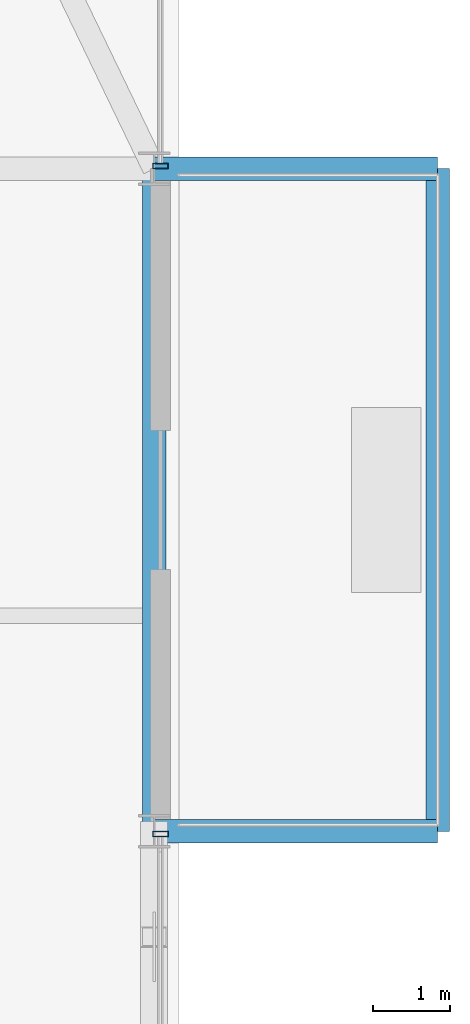
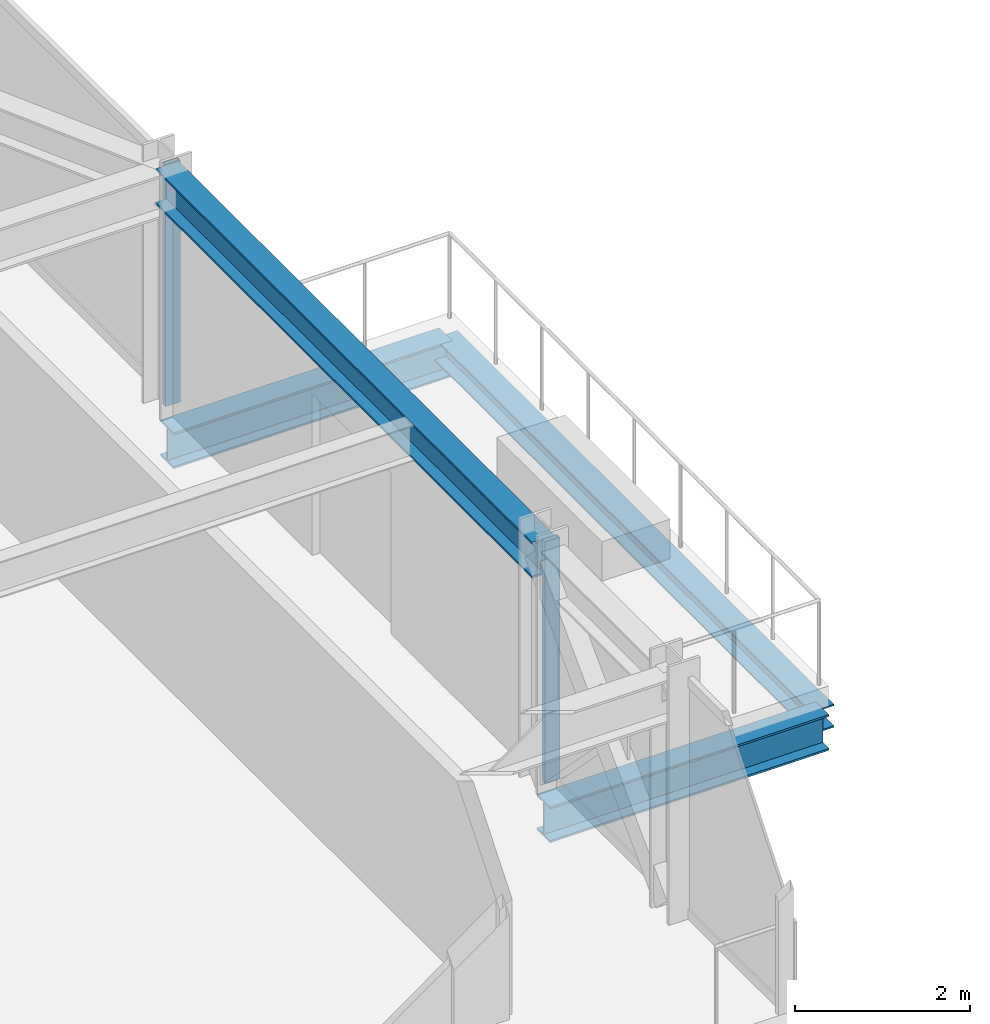
# One storey, part 25 of 35: 4 beams, 2 members, 2 elements without a shape of their own.
"""IFC4 building model written with IfcOpenShell, lengths in metres."""

from ifc_helpers import new_model, si_unit, direction, frame, origin, origin_2d, place, context, subcontext, project, spatial, hollow_rectangle, i_section, extrude, source, transform, mapped, material, material_profile, profile_set, type_object, element, aggregate, save


model = new_model("IFC4")

# Units and contexts
model_context = context("Model", 3, precision=1e-05, world=origin(), true_north=direction((0.0, 1.0)))
body_context = subcontext(model_context, "Body", "Model", "MODEL_VIEW")
ifc_project = project(units=[si_unit("LENGTHUNIT", "METRE"), si_unit("AREAUNIT", "SQUARE_METRE"), si_unit("VOLUMEUNIT", "CUBIC_METRE"), si_unit("PLANEANGLEUNIT", "RADIAN"), si_unit("MASSUNIT", "GRAM", prefix="KILO")], contexts=[model_context])

# Site, building, storey
site_placement = place(None, origin())
site = spatial("IfcSite", under=ifc_project, at=site_placement, CompositionType="ELEMENT")
building_placement = place(site_placement, origin())
building = spatial("IfcBuilding", under=site, at=building_placement, Name="Nahalor Promenade Grand Hotel", CompositionType="ELEMENT")
storey_placement = place(building_placement, frame((0.0, 0.0, 43.35009765625)))
storey = spatial("IfcBuildingStorey", under=building, at=storey_placement, Name="L09", CompositionType="ELEMENT", Elevation=43.35009765625)

# Beams
ifc_material_1 = material(Name="Steel S355JR", Category="steel")
ifc_material_profile_1 = material_profile(ifc_material_1, i_section(OverallWidth=0.3, OverallDepth=0.32, WebThickness=0.0115, FlangeThickness=0.0205, at=origin_2d()), Name="HEB 320")
ifc_profile_set_1 = profile_set([ifc_material_profile_1], Name="Steel S355JR")
beam_type_1 = type_object("IfcBeamType", Name="Beam-BalcEdge-HEB320", PredefinedType="SPANDREL", material=ifc_profile_set_1)
shared_shape_1 = source(origin(), body_context, "Body", "SweptSolid", [
    extrude(i_section(OverallWidth=0.3, OverallDepth=0.32, WebThickness=0.0115, FlangeThickness=0.0205, at=origin_2d()), origin(), (0.0, 0.0, 1.0), 8.60009765625),
])
beam_1_placement = place(storey_placement, frame((28.760009765625, 8.39990234375, -0.440185546875), z_axis=(0.0, 1.0, 0.0), x_axis=(-1.0, 0.0, 0.0)))
element("IfcBeam", 1, at=beam_1_placement, inside=storey, type_object=beam_type_1, Name="BM-L09-BC-02-F", PredefinedType="SPANDREL", context=body_context, shape_type="MappedRepresentation", body=[
    mapped(shared_shape_1, transform((0.0, 0.0, 0.0), scale=1.0)),
])
ifc_material_profile_2 = material_profile(ifc_material_1, i_section(OverallWidth=0.3, OverallDepth=0.5, WebThickness=0.0145, FlangeThickness=0.028, at=origin_2d()), Name="HEB 500")
ifc_profile_set_2 = profile_set([ifc_material_profile_2], Name="Steel S355JR")
beam_type_2 = type_object("IfcBeamType", Name="Beam-Outrigger-HEB500", PredefinedType="BEAM", material=ifc_profile_set_2)
shared_shape_2 = source(origin(), body_context, "Body", "SweptSolid", [
    extrude(i_section(OverallWidth=0.3, OverallDepth=0.5, WebThickness=0.0145, FlangeThickness=0.028, at=origin_2d()), origin(), (0.0, 0.0, 1.0), 3.679931640625),
])
for number, where, z_axis, x_axis, name in (
    (2, (25.080078125, 8.39990234375, -0.530029296875), (1.0, 0.0, 0.0), (0.0, 1.0, 0.0), "BM-L09-BC-02-1"),
    (3, (25.080078125, 17.0, -0.530029296875), (1.0, 0.0, 0.0), (0.0, 1.0, 0.0), "BM-L09-BC-02-2"),
):
    element("IfcBeam", number, at=place(storey_placement, frame(where, z_axis=z_axis, x_axis=x_axis)), inside=storey, type_object=beam_type_2, Name=name, PredefinedType="BEAM", context=body_context, shape_type="MappedRepresentation", body=[
        mapped(shared_shape_2, transform((0.0, 0.0, 0.0), scale=1.0)),
    ])
ifc_material_profile_3 = material_profile(ifc_material_1, i_section(OverallWidth=0.3, OverallDepth=0.5, WebThickness=0.0145, FlangeThickness=0.028, at=origin_2d()), Name="HEB 500")
ifc_profile_set_3 = profile_set([ifc_material_profile_3], Name="Steel S355JR")
beam_type_3 = type_object("IfcBeamType", Name="Beam-Spandrel-HEB500", PredefinedType="SPANDREL", material=ifc_profile_set_3)
shared_shape_3 = source(origin(), body_context, "Body", "SweptSolid", [
    extrude(i_section(OverallWidth=0.3, OverallDepth=0.5, WebThickness=0.0145, FlangeThickness=0.028, at=origin_2d()), origin(), (0.0, 0.0, 1.0), 8.60009765625),
])
beam_2_placement = place(storey_placement, frame((25.080078125, 8.39990234375, 3.119873046875), z_axis=(0.0, 1.0, 0.0), x_axis=(-1.0, 0.0, 0.0)))
element("IfcBeam", 4, at=beam_2_placement, inside=storey, type_object=beam_type_3, Name="BM-L09-SP-E-4", PredefinedType="SPANDREL", context=body_context, shape_type="MappedRepresentation", body=[
    mapped(shared_shape_3, transform((0.0, 0.0, 0.0), scale=1.0)),
])

# Curtain wall, member
ifc_material_2 = material(Name="Anodised Bronze Aluminium EN AW-6063 T6", Category="aluminium")
curtain_wall_type = type_object("IfcCurtainWallType", Name="CW3 Elliptical-Void Collar Unitised Curtain Wall", PredefinedType="USERDEFINED", material=ifc_material_2)
curtain_wall_1_placement = place(storey_placement, origin())
curtain_wall_1 = element("IfcCurtainWall", 5, at=curtain_wall_1_placement, inside=storey, type_object=curtain_wall_type, Name="L09 Curtain Wall CW-L09-E-2", ObjectType="UNITISED_CURTAIN_WALL", PredefinedType="USERDEFINED")
ifc_material_profile_4 = material_profile(ifc_material_2, hollow_rectangle(XDim=0.07, YDim=0.2, WallThickness=0.005, at=origin_2d()), Name="CWM 70x200x5")
ifc_profile_set_4 = profile_set([ifc_material_profile_4], Name="Anodised Bronze Aluminium EN AW-6063 T6")
member_type = type_object("IfcMemberType", Name="CWM3 Void Collar Mullion 70x200", PredefinedType="MULLION", material=ifc_profile_set_4)
shared_shape_4 = source(origin(), body_context, "Body", "SweptSolid", [
    extrude(hollow_rectangle(XDim=0.07, YDim=0.2, WallThickness=0.005, at=origin_2d()), origin(), (0.0, 0.0, 1.0), 3.369873046875),
])
member_1_placement = place(storey_placement, frame((25.159912109375, 8.364990234375, 0.0), z_axis=(0.0, 0.0, 1.0), x_axis=(0.0, 1.0, 0.0)))
member_1 = element("IfcMember", 6, at=member_1_placement, type_object=member_type, Name="CW-L09-E-2 Mullion 1", PredefinedType="MULLION", context=body_context, shape_type="MappedRepresentation", body=[
    mapped(shared_shape_4, transform((0.0, 0.0, 0.0), scale=1.0)),
])
aggregate(curtain_wall_1, [member_1])

curtain_wall_2_placement = place(storey_placement, origin())
curtain_wall_2 = element("IfcCurtainWall", 7, at=curtain_wall_2_placement, inside=storey, type_object=curtain_wall_type, Name="L09 Curtain Wall CW-L09-E-4", ObjectType="UNITISED_CURTAIN_WALL", PredefinedType="USERDEFINED")
member_2_placement = place(storey_placement, frame((25.159912109375, 17.034912109375, 0.0), z_axis=(0.0, 0.0, 1.0), x_axis=(0.0, 1.0, 0.0)))
member_2 = element("IfcMember", 8, at=member_2_placement, type_object=member_type, Name="CW-L09-E-4 Mullion 0", PredefinedType="MULLION", context=body_context, shape_type="MappedRepresentation", body=[
    mapped(shared_shape_4, transform((0.0, 0.0, 0.0), scale=1.0)),
])
aggregate(curtain_wall_2, [member_2])

save(model, "model.ifc")
